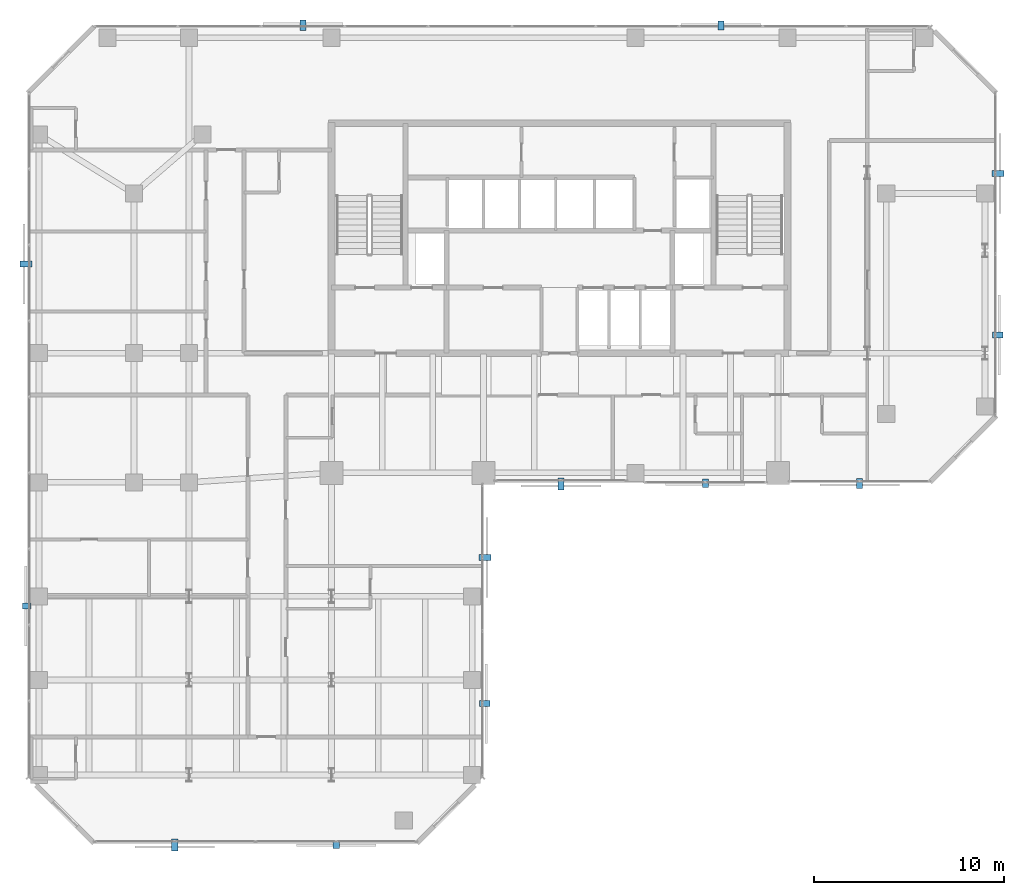
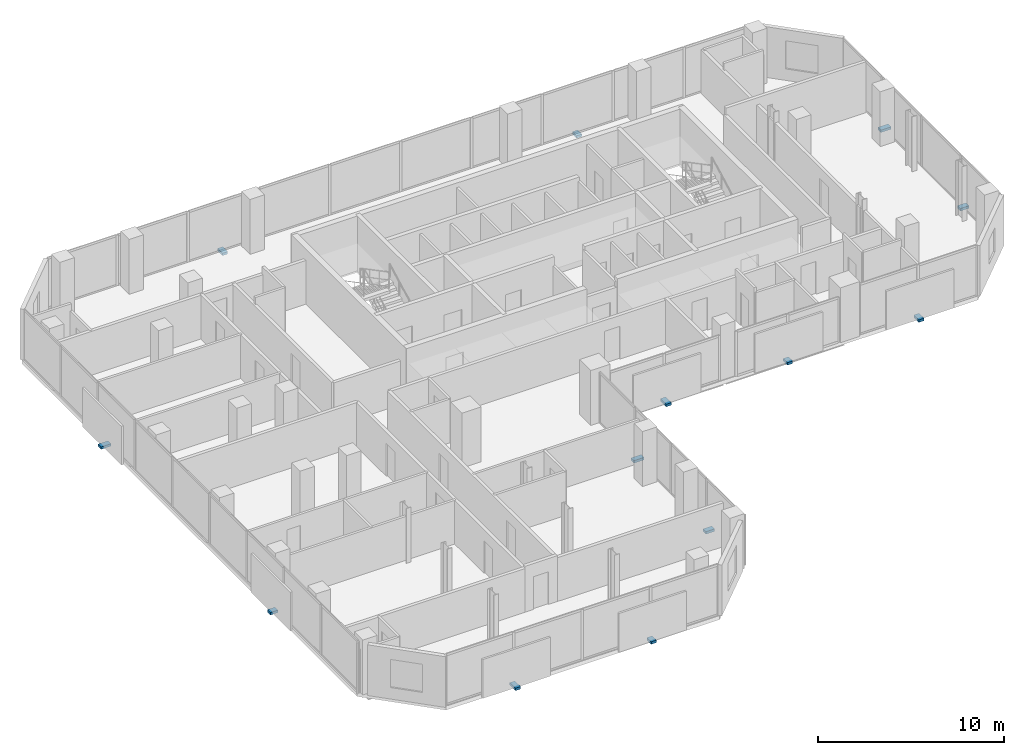
# One storey, part 32 of 34: 13 discrete accessories.
"""IFC4 building model written with IfcOpenShell, lengths in metres."""

from ifc_helpers import new_model, si_unit, direction, frame, origin, origin_2d, place, context, subcontext, project, spatial, rectangle, extrude, material, type_object, element, save


model = new_model("IFC4")

# Units and contexts
model_context = context("Model", 3, precision=1e-05, world=origin(), true_north=direction((0.0, 1.0)))
body_context = subcontext(model_context, "Body", "Model", "MODEL_VIEW")
ifc_project = project(units=[si_unit("LENGTHUNIT", "METRE"), si_unit("AREAUNIT", "SQUARE_METRE"), si_unit("VOLUMEUNIT", "CUBIC_METRE"), si_unit("PLANEANGLEUNIT", "RADIAN"), si_unit("MASSUNIT", "GRAM", prefix="KILO")], contexts=[model_context])

# Site, building, storey
site_placement = place(None, origin())
site = spatial("IfcSite", under=ifc_project, at=site_placement, CompositionType="ELEMENT")
building_placement = place(site_placement, origin())
building = spatial("IfcBuilding", under=site, at=building_placement, Name="Catumbela Crestline Tower", CompositionType="ELEMENT")
storey_placement = place(building_placement, frame((0.0, 0.0, 115.2)))
storey = spatial("IfcBuildingStorey", under=building, at=storey_placement, Name="L29", CompositionType="ELEMENT", Elevation=115.2)

# Discrete accessories
ifc_material = material(Name="Stainless steel EN 1.4401", Category="steel")
discrete_accessory_type = type_object("IfcDiscreteAccessoryType", Name="BK-SS1", PredefinedType="BRACKET", material=ifc_material)
discrete_accessory_1_placement = place(storey_placement, frame((7.75, 4.915, -0.18), z_axis=(0.0, 0.0, 1.0), x_axis=(1.0, 0.0, 0.0)))
element("IfcDiscreteAccessory", 1, at=discrete_accessory_1_placement, inside=storey, type_object=discrete_accessory_type, Name="L29 Solar Screen Stainless Bracket 302", PredefinedType="BRACKET", context=body_context, shape_type="SweptSolid", body=[
    extrude(rectangle(XDim=0.32, YDim=0.62, at=origin_2d()), origin(), (0.0, 0.0, 1.0), 0.16),
])
discrete_accessory_2_placement = place(storey_placement, frame((16.25, 4.955, -0.18), z_axis=(0.0, 0.0, 1.0), x_axis=(1.0, 0.0, 0.0)))
element("IfcDiscreteAccessory", 2, at=discrete_accessory_2_placement, inside=storey, type_object=discrete_accessory_type, Name="L29 Solar Screen Stainless Bracket 303", PredefinedType="BRACKET", context=body_context, shape_type="SweptSolid", body=[
    extrude(rectangle(XDim=0.32, YDim=0.46, at=origin_2d()), origin(), (0.0, 0.0, 1.0), 0.16),
])
discrete_accessory_3_placement = place(storey_placement, frame((24.065, 12.35, -0.18), z_axis=(0.0, 0.0, 1.0), x_axis=(0.0, 1.0, 0.0)))
element("IfcDiscreteAccessory", 3, at=discrete_accessory_3_placement, inside=storey, type_object=discrete_accessory_type, Name="L29 Solar Screen Stainless Bracket 304", PredefinedType="BRACKET", context=body_context, shape_type="SweptSolid", body=[
    extrude(rectangle(XDim=0.32, YDim=0.54, at=origin_2d()), origin(), (0.0, 0.0, 1.0), 0.16),
])
for number, where, z_axis, x_axis, name in (
    (4, (24.085, 20.05, -0.18), (0.0, 0.0, 1.0), (0.0, 1.0, 0.0), "L29 Solar Screen Stainless Bracket 305"),
    (5, (28.075, 23.915, -0.18), (0.0, 0.0, 1.0), (1.0, 0.0, 0.0), "L29 Solar Screen Stainless Bracket 306"),
):
    element("IfcDiscreteAccessory", number, at=place(storey_placement, frame(where, z_axis=z_axis, x_axis=x_axis)), inside=storey, type_object=discrete_accessory_type, Name=name, PredefinedType="BRACKET", context=body_context, shape_type="SweptSolid", body=[
        extrude(rectangle(XDim=0.32, YDim=0.62, at=origin_2d()), origin(), (0.0, 0.0, 1.0), 0.16),
    ])
discrete_accessory_4_placement = place(storey_placement, frame((35.675, 23.955, -0.18), z_axis=(0.0, 0.0, 1.0), x_axis=(1.0, 0.0, 0.0)))
element("IfcDiscreteAccessory", 6, at=discrete_accessory_4_placement, inside=storey, type_object=discrete_accessory_type, Name="L29 Solar Screen Stainless Bracket 307", PredefinedType="BRACKET", context=body_context, shape_type="SweptSolid", body=[
    extrude(rectangle(XDim=0.32, YDim=0.46, at=origin_2d()), origin(), (0.0, 0.0, 1.0), 0.16),
])
for number, where, z_axis, x_axis, name in (
    (7, (43.8, 23.935, -0.18), (0.0, 0.0, 1.0), (1.0, 0.0, 0.0), "L29 Solar Screen Stainless Bracket 308"),
    (8, (51.065, 31.75, -0.18), (0.0, 0.0, 1.0), (0.0, 1.0, 0.0), "L29 Solar Screen Stainless Bracket 309"),
):
    element("IfcDiscreteAccessory", number, at=place(storey_placement, frame(where, z_axis=z_axis, x_axis=x_axis)), inside=storey, type_object=discrete_accessory_type, Name=name, PredefinedType="BRACKET", context=body_context, shape_type="SweptSolid", body=[
        extrude(rectangle(XDim=0.32, YDim=0.54, at=origin_2d()), origin(), (0.0, 0.0, 1.0), 0.16),
    ])
discrete_accessory_5_placement = place(storey_placement, frame((51.085, 40.25, -0.18), z_axis=(0.0, 0.0, 1.0), x_axis=(0.0, 1.0, 0.0)))
element("IfcDiscreteAccessory", 9, at=discrete_accessory_5_placement, inside=storey, type_object=discrete_accessory_type, Name="L29 Solar Screen Stainless Bracket 310", PredefinedType="BRACKET", context=body_context, shape_type="SweptSolid", body=[
    extrude(rectangle(XDim=0.32, YDim=0.62, at=origin_2d()), origin(), (0.0, 0.0, 1.0), 0.16),
])
discrete_accessory_6_placement = place(storey_placement, frame((36.5, 48.045, -0.18), z_axis=(0.0, 0.0, 1.0), x_axis=(-1.0, 0.0, 0.0)))
element("IfcDiscreteAccessory", 10, at=discrete_accessory_6_placement, inside=storey, type_object=discrete_accessory_type, Name="L29 Solar Screen Stainless Bracket 311", PredefinedType="BRACKET", context=body_context, shape_type="SweptSolid", body=[
    extrude(rectangle(XDim=0.32, YDim=0.46, at=origin_2d()), origin(), (0.0, 0.0, 1.0), 0.16),
])
discrete_accessory_7_placement = place(storey_placement, frame((14.5, 48.065, -0.18), z_axis=(0.0, 0.0, 1.0), x_axis=(-1.0, 0.0, 0.0)))
element("IfcDiscreteAccessory", 11, at=discrete_accessory_7_placement, inside=storey, type_object=discrete_accessory_type, Name="L29 Solar Screen Stainless Bracket 312", PredefinedType="BRACKET", context=body_context, shape_type="SweptSolid", body=[
    extrude(rectangle(XDim=0.32, YDim=0.54, at=origin_2d()), origin(), (0.0, 0.0, 1.0), 0.16),
])
discrete_accessory_8_placement = place(storey_placement, frame((-0.085, 35.5, -0.18), z_axis=(0.0, 0.0, 1.0), x_axis=(0.0, -1.0, 0.0)))
element("IfcDiscreteAccessory", 12, at=discrete_accessory_8_placement, inside=storey, type_object=discrete_accessory_type, Name="L29 Solar Screen Stainless Bracket 313", PredefinedType="BRACKET", context=body_context, shape_type="SweptSolid", body=[
    extrude(rectangle(XDim=0.32, YDim=0.62, at=origin_2d()), origin(), (0.0, 0.0, 1.0), 0.16),
])
discrete_accessory_9_placement = place(storey_placement, frame((-0.045, 17.5, -0.18), z_axis=(0.0, 0.0, 1.0), x_axis=(0.0, -1.0, 0.0)))
element("IfcDiscreteAccessory", 13, at=discrete_accessory_9_placement, inside=storey, type_object=discrete_accessory_type, Name="L29 Solar Screen Stainless Bracket 314", PredefinedType="BRACKET", context=body_context, shape_type="SweptSolid", body=[
    extrude(rectangle(XDim=0.32, YDim=0.46, at=origin_2d()), origin(), (0.0, 0.0, 1.0), 0.16),
])

save(model, "model.ifc")
